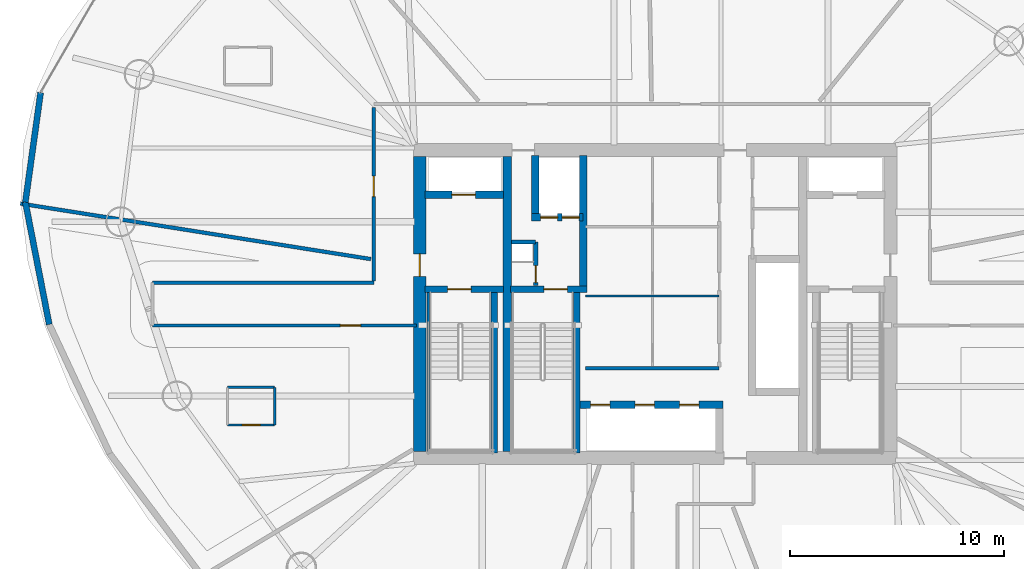
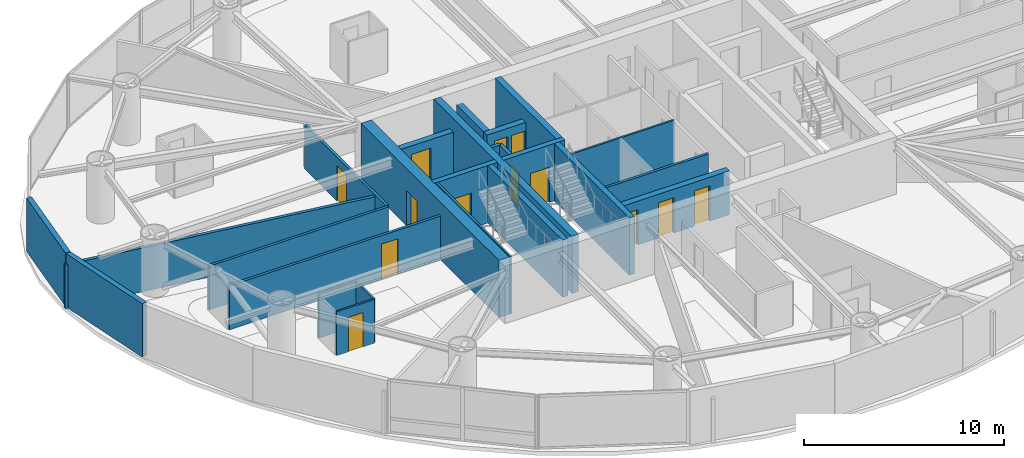
# One storey, part 14 of 19: 25 walls, 13 doors, 13 openings.
"""IFC4 building model written with IfcOpenShell, lengths in metres."""

from ifc_helpers import new_model, si_unit, direction, frame, frame_2d, origin, place, context, subcontext, project, spatial, rectangle, extrude, material, layer, layer_set, type_object, element, fill, save


model = new_model("IFC4")

# Units and contexts
model_context = context("Model", 3, precision=1e-05, world=origin(), true_north=direction((0.0, 1.0)))
body_context = subcontext(model_context, "Body", "Model", "MODEL_VIEW")
ifc_project = project(units=[si_unit("LENGTHUNIT", "METRE"), si_unit("AREAUNIT", "SQUARE_METRE"), si_unit("VOLUMEUNIT", "CUBIC_METRE"), si_unit("PLANEANGLEUNIT", "RADIAN"), si_unit("MASSUNIT", "GRAM", prefix="KILO")], contexts=[model_context])

# Site, building, storey
site_placement = place(None, origin())
site = spatial("IfcSite", under=ifc_project, at=site_placement, CompositionType="ELEMENT")
building_placement = place(site_placement, origin())
building = spatial("IfcBuilding", under=site, at=building_placement, Name="Bramvorn Convention Spire", CompositionType="ELEMENT")
storey_placement = place(building_placement, frame((0.0, 0.0, 109.800048828125)))
storey = spatial("IfcBuildingStorey", under=building, at=storey_placement, Name="L26", CompositionType="ELEMENT", Elevation=109.800048828125)

# Wall, opening, door
ifc_material_1 = material(Name="Concrete C60/70", Category="concrete")
ifc_layer_1 = layer(ifc_material_1, 0.60009765625)
ifc_layer_set_1 = layer_set([ifc_layer_1], Name="Concrete C60/70 - WL-CORE-600")
wall_type_1 = type_object("IfcWallType", Name="WL-CORE-600", PredefinedType="SHEAR", material=ifc_layer_set_1)
wall_1_placement = place(storey_placement, frame((27.0, 19.10009765625, 0.0), z_axis=(0.0, 0.0, 1.0), x_axis=(0.0, 1.0, 0.0)))
wall_1 = element("IfcWall", 1, at=wall_1_placement, inside=storey, type_object=wall_type_1, Name="L26 West RC core shear wall", PredefinedType="SHEAR", context=body_context, shape_type="SweptSolid", body=[
    extrude(rectangle(XDim=13.7998046875, YDim=0.60009765625, at=frame_2d((6.89990234375, 0.0))), origin(), (0.0, 0.0, 1.0), 3.5),
])
opening_1_placement = place(wall_1_placement, frame((8.199951171875, 0.0, 0.0)))
opening_1 = element("IfcOpeningElement", 2, at=opening_1_placement, cuts=wall_1, Name="Opening DL-105", PredefinedType="OPENING", context=body_context, shape_type="SweptSolid", body=[
    extrude(rectangle(XDim=1.050048828125, YDim=2.14990234375, at=frame_2d((0.52490234375, 1.074951171875))), frame((0.0, 0.31005859375, 0.0), z_axis=(0.0, -1.0, 0.0), x_axis=(1.0, 0.0, 0.0)), (0.0, 0.0, 1.0), 0.6201171875),
])
ifc_material_2 = material(Name="Smoke-Sealed Fire Lobby Timber-Core Door", Category="wood")
door_type_1 = type_object("IfcDoorType", Name="DR-LOBBY-1050", OperationType="NOTDEFINED", PredefinedType="DOOR", material=ifc_material_2)
door_1_placement = place(opening_1_placement, origin())
door_1 = element("IfcDoor", 3, at=door_1_placement, inside=storey, type_object=door_type_1, Name="L26 West Firefighting Lobby corridor door", OperationType="SINGLE_SWING_RIGHT", OverallHeight=2.14990234375, OverallWidth=1.050048828125, PredefinedType="DOOR", context=body_context, shape_type="SweptSolid", body=[
    extrude(rectangle(XDim=1.050048828125, YDim=2.14990234375, at=frame_2d((0.52490234375, 1.074951171875))), frame((0.0, 0.02490234375, 0.0), z_axis=(0.0, -1.0, 0.0), x_axis=(1.0, 0.0, 0.0)), (0.0, 0.0, 1.0), 0.050048828125),
])
fill(opening_1, door_1)

ifc_material_3 = material(Name="Concrete C50/60", Category="concrete")
ifc_layer_2 = layer(ifc_material_3, 0.35009765625)
ifc_layer_set_2 = layer_set([ifc_layer_2], Name="Concrete C50/60 - WL-CORE-INT-350")
wall_type_2 = type_object("IfcWallType", Name="WL-CORE-INT-350", PredefinedType="SHEAR", material=ifc_layer_set_2)
wall_2_placement = place(storey_placement, frame((27.25, 31.1201171875, 0.0), z_axis=(0.0, 0.0, 1.0), x_axis=(1.0, 0.0, 0.0)))
wall_2 = element("IfcWall", 4, at=wall_2_placement, inside=storey, type_object=wall_type_2, Name="L26 FE1 shaft front wall", PredefinedType="SHEAR", context=body_context, shape_type="SweptSolid", body=[
    extrude(rectangle(XDim=3.669921875, YDim=0.35009765625, at=frame_2d((1.8349609375, 0.0))), origin(), (0.0, 0.0, 1.0), 2.675048828125),
])
opening_2_placement = place(wall_2_placement, frame((1.25, 0.0, 0.0)))
opening_2 = element("IfcOpeningElement", 5, at=opening_2_placement, cuts=wall_2, Name="Opening LD-110", PredefinedType="OPENING", context=body_context, shape_type="SweptSolid", body=[
    extrude(rectangle(XDim=1.10009765625, YDim=2.14990234375, at=frame_2d((0.550048828125, 1.074951171875))), frame((0.0, 0.18505859375, 0.0), z_axis=(0.0, -1.0, 0.0), x_axis=(1.0, 0.0, 0.0)), (0.0, 0.0, 1.0), 0.3701171875),
])
ifc_material_4 = material(Name="Firefighting & Service Lift Sliding Landing Door", Category="steel")
door_type_2 = type_object("IfcDoorType", Name="DR-LIFT-LD-1100", OperationType="NOTDEFINED", PredefinedType="DOOR", material=ifc_material_4)
door_2_placement = place(opening_2_placement, origin())
door_2 = element("IfcDoor", 6, at=door_2_placement, inside=storey, type_object=door_type_2, Name="L26 Lift FE1 Sliding Landing Door", OperationType="SLIDING_TO_LEFT", OverallHeight=2.14990234375, OverallWidth=1.10009765625, PredefinedType="DOOR", context=body_context, shape_type="SweptSolid", body=[
    extrude(rectangle(XDim=1.10009765625, YDim=2.14990234375, at=frame_2d((0.550048828125, 1.074951171875))), frame((0.0, 0.02490234375, 0.0), z_axis=(0.0, -1.0, 0.0), x_axis=(1.0, 0.0, 0.0)), (0.0, 0.0, 1.0), 0.050048828125),
])
fill(opening_2, door_2)

# Wall
wall_3_placement = place(storey_placement, frame((34.639892578125, 26.68994140625, 0.0), z_axis=(0.0, 0.0, 1.0), x_axis=(0.0, 1.0, 0.0)))
element("IfcWall", 7, at=wall_3_placement, inside=storey, type_object=wall_type_2, Name="L26 SV east core shaft wall", PredefinedType="SHEAR", context=body_context, shape_type="SweptSolid", body=[
    extrude(rectangle(XDim=6.260009765625, YDim=0.35009765625, at=frame_2d((3.1298828125, 0.0))), origin(), (0.0, 0.0, 1.0), 3.5),
])

# Wall, openings, doors
wall_4_placement = place(storey_placement, frame((32.22998046875, 30.050048828125, 0.0), z_axis=(0.0, 0.0, 1.0), x_axis=(1.0, 0.0, 0.0)))
wall_4 = element("IfcWall", 8, at=wall_4_placement, inside=storey, type_object=wall_type_2, Name="L26 SV1/SV2 shaft front wall", PredefinedType="SHEAR", context=body_context, shape_type="SweptSolid", body=[
    extrude(rectangle(XDim=2.409912109375, YDim=0.35009765625, at=frame_2d((1.205078125, 0.0))), origin(), (0.0, 0.0, 1.0), 2.675048828125),
])
opening_3_placement = place(wall_4_placement, frame((0.419921875, 0.0, 0.0)))
opening_3 = element("IfcOpeningElement", 9, at=opening_3_placement, cuts=wall_4, Name="Opening LD-080", PredefinedType="OPENING", context=body_context, shape_type="SweptSolid", body=[
    extrude(rectangle(XDim=0.800048828125, YDim=2.14990234375, at=frame_2d((0.39990234375, 1.074951171875))), frame((0.0, 0.18505859375, 0.0), z_axis=(0.0, -1.0, 0.0), x_axis=(1.0, 0.0, 0.0)), (0.0, 0.0, 1.0), 0.3701171875),
])
opening_4_placement = place(wall_4_placement, frame((1.419921875, 0.0, 0.0)))
opening_4 = element("IfcOpeningElement", 10, at=opening_4_placement, cuts=wall_4, Name="Opening LD-080", PredefinedType="OPENING", context=body_context, shape_type="SweptSolid", body=[
    extrude(rectangle(XDim=0.800048828125, YDim=2.14990234375, at=frame_2d((0.39990234375, 1.074951171875))), frame((0.0, 0.18505859375, 0.0), z_axis=(0.0, -1.0, 0.0), x_axis=(1.0, 0.0, 0.0)), (0.0, 0.0, 1.0), 0.3701171875),
])
ifc_material_5 = material(Name="Service Lift Bi-Parting Landing Door", Category="steel")
door_type_3 = type_object("IfcDoorType", Name="DR-LIFT-LD-800", OperationType="NOTDEFINED", PredefinedType="DOOR", material=ifc_material_5)
door_3_placement = place(opening_3_placement, origin())
door_3 = element("IfcDoor", 11, at=door_3_placement, inside=storey, type_object=door_type_3, Name="L26 Lift SV1 Sliding Landing Door", OperationType="SLIDING_TO_LEFT", OverallHeight=2.14990234375, OverallWidth=0.800048828125, PredefinedType="DOOR", context=body_context, shape_type="SweptSolid", body=[
    extrude(rectangle(XDim=0.800048828125, YDim=2.14990234375, at=frame_2d((0.39990234375, 1.074951171875))), frame((0.0, 0.02490234375, 0.0), z_axis=(0.0, -1.0, 0.0), x_axis=(1.0, 0.0, 0.0)), (0.0, 0.0, 1.0), 0.050048828125),
])
fill(opening_3, door_3)
door_4_placement = place(opening_4_placement, origin())
door_4 = element("IfcDoor", 12, at=door_4_placement, inside=storey, type_object=door_type_3, Name="L26 Lift SV2 Sliding Landing Door", OperationType="SLIDING_TO_LEFT", OverallHeight=2.14990234375, OverallWidth=0.800048828125, PredefinedType="DOOR", context=body_context, shape_type="SweptSolid", body=[
    extrude(rectangle(XDim=0.800048828125, YDim=2.14990234375, at=frame_2d((0.39990234375, 1.074951171875))), frame((0.0, 0.02490234375, 0.0), z_axis=(0.0, -1.0, 0.0), x_axis=(1.0, 0.0, 0.0)), (0.0, 0.0, 1.0), 0.050048828125),
])
fill(opening_4, door_4)

# Wall
wall_5_placement = place(storey_placement, frame((32.39990234375, 30.219970703125, 0.0), z_axis=(0.0, 0.0, 1.0), x_axis=(0.0, 1.0, 0.0)))
element("IfcWall", 13, at=wall_5_placement, inside=storey, type_object=wall_type_2, Name="L26 SV1 west hoistway wall", PredefinedType="SHEAR", context=body_context, shape_type="SweptSolid", body=[
    extrude(rectangle(XDim=2.72998046875, YDim=0.35009765625, at=frame_2d((1.364990234375, 0.0))), origin(), (0.0, 0.0, 1.0), 2.675048828125),
])

# Wall, openings, doors
wall_6_placement = place(storey_placement, frame((34.489990234375, 21.300048828125, 0.0), z_axis=(0.0, 0.0, 1.0), x_axis=(1.0, 0.0, 0.0)))
wall_6 = element("IfcWall", 14, at=wall_6_placement, inside=storey, type_object=wall_type_2, Name="L26 Mid-rise bank north landing wall", PredefinedType="SHEAR", context=body_context, shape_type="SweptSolid", body=[
    extrude(rectangle(XDim=6.679931640625, YDim=0.35009765625, at=frame_2d((3.33984375, 0.0))), origin(), (0.0, 0.0, 1.0), 2.675048828125),
])
opening_5_placement = place(wall_6_placement, frame((0.5, 0.0, 0.0)))
opening_5 = element("IfcOpeningElement", 15, at=opening_5_placement, cuts=wall_6, Name="Opening LD-090", PredefinedType="OPENING", context=body_context, shape_type="SweptSolid", body=[
    extrude(rectangle(XDim=0.89990234375, YDim=2.14990234375, at=frame_2d((0.449951171875, 1.074951171875))), frame((0.0, 0.18505859375, 0.0), z_axis=(0.0, -1.0, 0.0), x_axis=(1.0, 0.0, 0.0)), (0.0, 0.0, 1.0), 0.3701171875),
])
opening_6_placement = place(wall_6_placement, frame((2.580078125, 0.0, 0.0)))
opening_6 = element("IfcOpeningElement", 16, at=opening_6_placement, cuts=wall_6, Name="Opening LD-090", PredefinedType="OPENING", context=body_context, shape_type="SweptSolid", body=[
    extrude(rectangle(XDim=0.89990234375, YDim=2.14990234375, at=frame_2d((0.449951171875, 1.074951171875))), frame((0.0, 0.18505859375, 0.0), z_axis=(0.0, -1.0, 0.0), x_axis=(1.0, 0.0, 0.0)), (0.0, 0.0, 1.0), 0.3701171875),
])
opening_7_placement = place(wall_6_placement, frame((4.659912109375, 0.0, 0.0)))
opening_7 = element("IfcOpeningElement", 17, at=opening_7_placement, cuts=wall_6, Name="Opening LD-090", PredefinedType="OPENING", context=body_context, shape_type="SweptSolid", body=[
    extrude(rectangle(XDim=0.89990234375, YDim=2.14990234375, at=frame_2d((0.449951171875, 1.074951171875))), frame((0.0, 0.18505859375, 0.0), z_axis=(0.0, -1.0, 0.0), x_axis=(1.0, 0.0, 0.0)), (0.0, 0.0, 1.0), 0.3701171875),
])
ifc_material_6 = material(Name="Bi-Parting Fire-Rated Lift Landing Door", Category="steel")
door_type_4 = type_object("IfcDoorType", Name="DR-LIFT-LD-900", OperationType="NOTDEFINED", PredefinedType="DOOR", material=ifc_material_6)
door_5_placement = place(opening_5_placement, origin())
door_5 = element("IfcDoor", 18, at=door_5_placement, inside=storey, type_object=door_type_4, Name="L26 Lift PM1 Sliding Landing Door", OperationType="SLIDING_TO_LEFT", OverallHeight=2.14990234375, OverallWidth=0.89990234375, PredefinedType="DOOR", context=body_context, shape_type="SweptSolid", body=[
    extrude(rectangle(XDim=0.89990234375, YDim=2.14990234375, at=frame_2d((0.449951171875, 1.074951171875))), frame((0.0, 0.02490234375, 0.0), z_axis=(0.0, -1.0, 0.0), x_axis=(1.0, 0.0, 0.0)), (0.0, 0.0, 1.0), 0.050048828125),
])
fill(opening_5, door_5)
door_6_placement = place(opening_6_placement, origin())
door_6 = element("IfcDoor", 19, at=door_6_placement, inside=storey, type_object=door_type_4, Name="L26 Lift PM2 Sliding Landing Door", OperationType="SLIDING_TO_LEFT", OverallHeight=2.14990234375, OverallWidth=0.89990234375, PredefinedType="DOOR", context=body_context, shape_type="SweptSolid", body=[
    extrude(rectangle(XDim=0.89990234375, YDim=2.14990234375, at=frame_2d((0.449951171875, 1.074951171875))), frame((0.0, 0.02490234375, 0.0), z_axis=(0.0, -1.0, 0.0), x_axis=(1.0, 0.0, 0.0)), (0.0, 0.0, 1.0), 0.050048828125),
])
fill(opening_6, door_6)
door_7_placement = place(opening_7_placement, origin())
door_7 = element("IfcDoor", 20, at=door_7_placement, inside=storey, type_object=door_type_4, Name="L26 Lift PM3 Sliding Landing Door", OperationType="SLIDING_TO_LEFT", OverallHeight=2.14990234375, OverallWidth=0.89990234375, PredefinedType="DOOR", context=body_context, shape_type="SweptSolid", body=[
    extrude(rectangle(XDim=0.89990234375, YDim=2.14990234375, at=frame_2d((0.449951171875, 1.074951171875))), frame((0.0, 0.02490234375, 0.0), z_axis=(0.0, -1.0, 0.0), x_axis=(1.0, 0.0, 0.0)), (0.0, 0.0, 1.0), 0.050048828125),
])
fill(opening_7, door_7)

# Walls
ifc_layer_3 = layer(ifc_material_1, 0.39990234375)
ifc_layer_set_3 = layer_set([ifc_layer_3], Name="Concrete C60/70 - WL-CORE-INT-400")
wall_type_3 = type_object("IfcWallType", Name="WL-CORE-INT-400", PredefinedType="SHEAR", material=ifc_layer_set_3)
wall_7_placement = place(storey_placement, frame((31.10009765625, 19.10009765625, 0.0), z_axis=(0.0, 0.0, 1.0), x_axis=(0.0, 1.0, 0.0)))
element("IfcWall", 21, at=wall_7_placement, inside=storey, type_object=wall_type_3, Name="L26 West internal core shear web", PredefinedType="SHEAR", context=body_context, shape_type="SweptSolid", body=[
    extrude(rectangle(XDim=13.7998046875, YDim=0.39990234375, at=frame_2d((6.89990234375, 0.0))), origin(), (0.0, 0.0, 1.0), 3.5),
])
ifc_material_7 = material(Name="Precast Concrete C40/50 with Bronze Terracotta Rainscreen", Category="masonry")
ifc_layer_4 = layer(ifc_material_7, 0.300048828125)
ifc_layer_set_4 = layer_set([ifc_layer_4], Name="Precast Concrete C40/50 with Bronze Terracotta Rainscreen - WL-EXT-BRONZE-300")
wall_type_4 = type_object("IfcWallType", Name="WL-EXT-BRONZE-300", PredefinedType="SOLIDWALL", material=ifc_layer_set_4)
wall_8_placement = place(storey_placement, frame((8.56201171875, 30.765869140625, 0.0), z_axis=(0.0, 0.0, 1.0), x_axis=(0.137820388365, 0.990457238123, 0.0)))
element("IfcWall", 22, at=wall_8_placement, inside=storey, type_object=wall_type_4, Name="L26 expressed bronze Gothic lancet pier wall 13", PredefinedType="SOLIDWALL", context=body_context, shape_type="SweptSolid", body=[
    extrude(rectangle(XDim=5.17431640625, YDim=0.280029296875, at=frame_2d((2.587158203125, 0.0))), origin(), (0.0, 0.0, 1.0), 3.260009765625),
])
wall_9_placement = place(storey_placement, frame((9.67724609375, 25.05078125, 0.0), z_axis=(0.0, 0.0, 1.0), x_axis=(-0.191526121359, 0.981487516394, 0.0)))
element("IfcWall", 23, at=wall_9_placement, inside=storey, type_object=wall_type_4, Name="L26 expressed bronze Gothic lancet pier wall 14", PredefinedType="SOLIDWALL", context=body_context, shape_type="SweptSolid", body=[
    extrude(rectangle(XDim=5.822998046875, YDim=0.280029296875, at=frame_2d((2.91162109375, 0.0))), origin(), (0.0, 0.0, 1.0), 3.260009765625),
])
ifc_material_8 = material(Name="Lightweight En-Suite & Wet-Wall Partition", Category="gypsum")
ifc_layer_5 = layer(ifc_material_8, 0.110107421875)
ifc_layer_set_5 = layer_set([ifc_layer_5], Name="Lightweight En-Suite & Wet-Wall Partition - WL-PART-110")
wall_type_5 = type_object("IfcWallType", Name="WL-PART-110", PredefinedType="PARTITIONING", material=ifc_layer_set_5)
wall_10_placement = place(storey_placement, frame((34.75, 26.382080078125, 0.0), z_axis=(0.0, 0.0, 1.0), x_axis=(1.0, 0.0, 0.0)))
element("IfcWall", 24, at=wall_10_placement, inside=storey, type_object=wall_type_5, Name="L26 KB divider 1", PredefinedType="PARTITIONING", context=body_context, shape_type="SweptSolid", body=[
    extrude(rectangle(XDim=6.25, YDim=0.110107421875, at=frame_2d((3.125, 0.0))), origin(), (0.0, 0.0, 1.0), 2.675048828125),
])

# Wall, opening, door
wall_11_placement = place(storey_placement, frame((18.013427734375, 20.347412109375, 0.0), z_axis=(0.0, 0.0, 1.0), x_axis=(1.0, 0.0, 0.0)))
wall_11 = element("IfcWall", 25, at=wall_11_placement, inside=storey, type_object=wall_type_5, Name="Hotel Suite 2605 en-suite south wall", PredefinedType="PARTITIONING", context=body_context, shape_type="SweptSolid", body=[
    extrude(rectangle(XDim=2.199951171875, YDim=0.110107421875, at=frame_2d((1.10009765625, 0.0))), origin(), (0.0, 0.0, 1.0), 2.675048828125),
])
opening_8_placement = place(wall_11_placement, frame((0.679931640625, 0.0, 0.0)))
opening_8 = element("IfcOpeningElement", 26, at=opening_8_placement, cuts=wall_11, Name="Opening DI-085", PredefinedType="OPENING", context=body_context, shape_type="SweptSolid", body=[
    extrude(rectangle(XDim=0.85009765625, YDim=2.10009765625, at=frame_2d((0.425048828125, 1.050048828125))), frame((0.0, 0.06494140625, 0.0), z_axis=(0.0, -1.0, 0.0), x_axis=(1.0, 0.0, 0.0)), (0.0, 0.0, 1.0), 0.130126953125),
])
ifc_material_9 = material(Name="En-Suite & Restroom Privacy Door", Category="wood")
door_type_5 = type_object("IfcDoorType", Name="DR-INT-850", OperationType="NOTDEFINED", PredefinedType="DOOR", material=ifc_material_9)
door_8_placement = place(opening_8_placement, origin())
door_8 = element("IfcDoor", 27, at=door_8_placement, inside=storey, type_object=door_type_5, Name="Hotel Suite 2605 En-Suite Bathroom door", OperationType="SINGLE_SWING_LEFT", OverallHeight=2.10009765625, OverallWidth=0.85009765625, PredefinedType="DOOR", context=body_context, shape_type="SweptSolid", body=[
    extrude(rectangle(XDim=0.85009765625, YDim=2.10009765625, at=frame_2d((0.425048828125, 1.050048828125))), frame((0.0, 0.02490234375, 0.0), z_axis=(0.0, -1.0, 0.0), x_axis=(1.0, 0.0, 0.0)), (0.0, 0.0, 1.0), 0.050048828125),
])
fill(opening_8, door_8)

# Walls
wall_12_placement = place(storey_placement, frame((18.013427734375, 22.107421875, 0.0), z_axis=(0.0, 0.0, 1.0), x_axis=(1.0, 0.0, 0.0)))
element("IfcWall", 28, at=wall_12_placement, inside=storey, type_object=wall_type_5, Name="Hotel Suite 2605 en-suite north wall", PredefinedType="PARTITIONING", context=body_context, shape_type="SweptSolid", body=[
    extrude(rectangle(XDim=2.199951171875, YDim=0.110107421875, at=frame_2d((1.10009765625, 0.0))), origin(), (0.0, 0.0, 1.0), 2.675048828125),
])
wall_13_placement = place(storey_placement, frame((20.21337890625, 20.347412109375, 0.0), z_axis=(0.0, 0.0, 1.0), x_axis=(0.0, 1.0, 0.0)))
element("IfcWall", 29, at=wall_13_placement, inside=storey, type_object=wall_type_5, Name="Hotel Suite 2605 en-suite east wall", PredefinedType="PARTITIONING", context=body_context, shape_type="SweptSolid", body=[
    extrude(rectangle(XDim=1.760009765625, YDim=0.110107421875, at=frame_2d((0.8798828125, 0.0))), origin(), (0.0, 0.0, 1.0), 2.675048828125),
])
ifc_material_10 = material(Name="Acoustic Metal-Stud Tenant/Corridor Partition", Category="gypsum")
ifc_layer_6 = layer(ifc_material_10, 0.14990234375)
ifc_layer_set_6 = layer_set([ifc_layer_6], Name="Acoustic Metal-Stud Tenant/Corridor Partition - WL-PART-150")
wall_type_6 = type_object("IfcWallType", Name="WL-PART-150", PredefinedType="PARTITIONING", material=ifc_layer_set_6)
wall_14_placement = place(storey_placement, frame((34.75, 23.0, 0.0), z_axis=(0.0, 0.0, 1.0), x_axis=(1.0, 0.0, 0.0)))
element("IfcWall", 30, at=wall_14_placement, inside=storey, type_object=wall_type_6, Name="L26 Mid-rise lift vestibule north wall", PredefinedType="PARTITIONING", context=body_context, shape_type="SweptSolid", body=[
    extrude(rectangle(XDim=6.25, YDim=0.14990234375, at=frame_2d((3.125, 0.0))), origin(), (0.0, 0.0, 1.0), 2.675048828125),
])

# Wall, opening, door
wall_15_placement = place(storey_placement, frame((24.85009765625, 27.080078125, 0.0), z_axis=(0.0, 0.0, 1.0), x_axis=(0.0, 1.0, 0.0)))
wall_15 = element("IfcWall", 31, at=wall_15_placement, inside=storey, type_object=wall_type_6, Name="L26 NW gallery cheek", PredefinedType="PARTITIONING", context=body_context, shape_type="SweptSolid", body=[
    extrude(rectangle(XDim=8.119873046875, YDim=0.14990234375, at=frame_2d((4.06005859375, 0.0))), origin(), (0.0, 0.0, 1.0), 2.675048828125),
])
opening_9_placement = place(wall_15_placement, frame((3.94775390625, 0.0, 0.0)))
opening_9 = element("IfcOpeningElement", 32, at=opening_9_placement, cuts=wall_15, Name="Opening DH-095", PredefinedType="OPENING", context=body_context, shape_type="SweptSolid", body=[
    extrude(rectangle(XDim=0.949951171875, YDim=2.14990234375, at=frame_2d((0.47509765625, 1.074951171875))), frame((0.0, 0.0849609375, 0.0), z_axis=(0.0, -1.0, 0.0), x_axis=(1.0, 0.0, 0.0)), (0.0, 0.0, 1.0), 0.169921875),
])
ifc_material_11 = material(Name="Solid-Core Acoustic Guestroom Entry Door", Category="wood")
door_type_6 = type_object("IfcDoorType", Name="DR-HOTEL-950", OperationType="NOTDEFINED", PredefinedType="DOOR", material=ifc_material_11)
door_9_placement = place(opening_9_placement, origin())
door_9 = element("IfcDoor", 33, at=door_9_placement, inside=storey, type_object=door_type_6, Name="Hotel Suite 2604 entry door", OperationType="SINGLE_SWING_RIGHT", OverallHeight=2.14990234375, OverallWidth=0.949951171875, PredefinedType="DOOR", context=body_context, shape_type="SweptSolid", body=[
    extrude(rectangle(XDim=0.949951171875, YDim=2.14990234375, at=frame_2d((0.47509765625, 1.074951171875))), frame((0.0, 0.02490234375, 0.0), z_axis=(0.0, -1.0, 0.0), x_axis=(1.0, 0.0, 0.0)), (0.0, 0.0, 1.0), 0.050048828125),
])
fill(opening_9, door_9)

# Wall
wall_16_placement = place(storey_placement, frame((14.5, 27.0, 0.0), z_axis=(0.0, 0.0, 1.0), x_axis=(1.0, 0.0, 0.0)))
element("IfcWall", 34, at=wall_16_placement, inside=storey, type_object=wall_type_6, Name="L26 West wing spine north wall", PredefinedType="PARTITIONING", context=body_context, shape_type="SweptSolid", body=[
    extrude(rectangle(XDim=10.35009765625, YDim=0.14990234375, at=frame_2d((5.175048828125, 0.0))), origin(), (0.0, 0.0, 1.0), 2.675048828125),
])

# Wall, opening, door
wall_17_placement = place(storey_placement, frame((14.5, 25.0, 0.0), z_axis=(0.0, 0.0, 1.0), x_axis=(1.0, 0.0, 0.0)))
wall_17 = element("IfcWall", 35, at=wall_17_placement, inside=storey, type_object=wall_type_6, Name="L26 West wing spine south wall", PredefinedType="PARTITIONING", context=body_context, shape_type="SweptSolid", body=[
    extrude(rectangle(XDim=12.35009765625, YDim=0.14990234375, at=frame_2d((6.175048828125, 0.0))), origin(), (0.0, 0.0, 1.0), 2.675048828125),
])
opening_10_placement = place(wall_17_placement, frame((8.78759765625, 0.0, 0.0)))
opening_10 = element("IfcOpeningElement", 36, at=opening_10_placement, cuts=wall_17, Name="Opening DH-095", PredefinedType="OPENING", context=body_context, shape_type="SweptSolid", body=[
    extrude(rectangle(XDim=0.949951171875, YDim=2.14990234375, at=frame_2d((0.47509765625, 1.074951171875))), frame((0.0, 0.0849609375, 0.0), z_axis=(0.0, -1.0, 0.0), x_axis=(1.0, 0.0, 0.0)), (0.0, 0.0, 1.0), 0.169921875),
])
door_10_placement = place(opening_10_placement, origin())
door_10 = element("IfcDoor", 37, at=door_10_placement, inside=storey, type_object=door_type_6, Name="Hotel Suite 2605 entry door", OperationType="SINGLE_SWING_RIGHT", OverallHeight=2.14990234375, OverallWidth=0.949951171875, PredefinedType="DOOR", context=body_context, shape_type="SweptSolid", body=[
    extrude(rectangle(XDim=0.949951171875, YDim=2.14990234375, at=frame_2d((0.47509765625, 1.074951171875))), frame((0.0, 0.02490234375, 0.0), z_axis=(0.0, -1.0, 0.0), x_axis=(1.0, 0.0, 0.0)), (0.0, 0.0, 1.0), 0.050048828125),
])
fill(opening_10, door_10)

# Wall
ifc_material_12 = material(Name="Double-Stud Acoustic Hotel/Suite Partition", Category="gypsum")
ifc_layer_7 = layer(ifc_material_12, 0.175048828125)
ifc_layer_set_7 = layer_set([ifc_layer_7], Name="Double-Stud Acoustic Hotel/Suite Partition - WL-PART-175")
wall_type_7 = type_object("IfcWallType", Name="WL-PART-175", PredefinedType="PARTITIONING", material=ifc_layer_set_7)
wall_18_placement = place(storey_placement, frame((24.7099609375, 28.10498046875, 0.0), z_axis=(0.0, 0.0, 1.0), x_axis=(-0.987688276275, 0.156434871144, 0.0)))
element("IfcWall", 38, at=wall_18_placement, inside=storey, type_object=wall_type_7, Name="L26 Guestroom demising wall 5", PredefinedType="PARTITIONING", context=body_context, shape_type="SweptSolid", body=[
    extrude(rectangle(XDim=16.58984375, YDim=0.175048828125, at=frame_2d((8.294921875, 0.0))), origin(), (0.0, 0.0, 1.0), 2.675048828125),
])

# Wall, opening, door
ifc_material_13 = material(Name="Gypsum Shaftwall & Rockwool Core Partition", Category="gypsum")
ifc_layer_8 = layer(ifc_material_13, 0.199951171875)
ifc_layer_set_8 = layer_set([ifc_layer_8], Name="Gypsum Shaftwall & Rockwool Core Partition - WL-PART-200-FR")
wall_type_8 = type_object("IfcWallType", Name="WL-PART-200-FR", PredefinedType="PARTITIONING", material=ifc_layer_set_8)
wall_19_placement = place(storey_placement, frame((32.419921875, 26.860107421875, 0.0), z_axis=(0.0, 0.0, 1.0), x_axis=(0.0, 1.0, 0.0)))
wall_19 = element("IfcWall", 39, at=wall_19_placement, inside=storey, type_object=wall_type_8, Name="L26 Telecom riser east wall", PredefinedType="PARTITIONING", context=body_context, shape_type="SweptSolid", body=[
    extrude(rectangle(XDim=2.039794921875, YDim=0.199951171875, at=frame_2d((1.02001953125, 0.0))), origin(), (0.0, 0.0, 1.0), 2.675048828125),
])
opening_11_placement = place(wall_19_placement, frame((0.139892578125, 0.0, 0.0)))
opening_11 = element("IfcOpeningElement", 40, at=opening_11_placement, cuts=wall_19, Name="Opening DR-080", PredefinedType="OPENING", context=body_context, shape_type="SweptSolid", body=[
    extrude(rectangle(XDim=0.800048828125, YDim=2.050048828125, at=frame_2d((0.39990234375, 1.02490234375))), frame((0.0, 0.10986328125, 0.0), z_axis=(0.0, -1.0, 0.0), x_axis=(1.0, 0.0, 0.0)), (0.0, 0.0, 1.0), 0.219970703125),
])
ifc_material_14 = material(Name="Flush Steel Riser Access Door", Category="steel")
door_type_7 = type_object("IfcDoorType", Name="DR-RISER-800", OperationType="NOTDEFINED", PredefinedType="DOOR", material=ifc_material_14)
door_11_placement = place(opening_11_placement, origin())
door_11 = element("IfcDoor", 41, at=door_11_placement, inside=storey, type_object=door_type_7, Name="L26 Telecom riser access door", OperationType="SINGLE_SWING_RIGHT", OverallHeight=2.050048828125, OverallWidth=0.800048828125, PredefinedType="DOOR", context=body_context, shape_type="SweptSolid", body=[
    extrude(rectangle(XDim=0.800048828125, YDim=2.050048828125, at=frame_2d((0.39990234375, 1.02490234375))), frame((0.0, 0.02490234375, 0.0), z_axis=(0.0, -1.0, 0.0), x_axis=(1.0, 0.0, 0.0)), (0.0, 0.0, 1.0), 0.050048828125),
])
fill(opening_11, door_11)

# Wall
wall_20_placement = place(storey_placement, frame((31.300048828125, 28.89990234375, 0.0), z_axis=(0.0, 0.0, 1.0), x_axis=(1.0, 0.0, 0.0)))
element("IfcWall", 42, at=wall_20_placement, inside=storey, type_object=wall_type_8, Name="L26 Telecom riser north wall", PredefinedType="PARTITIONING", context=body_context, shape_type="SweptSolid", body=[
    extrude(rectangle(XDim=1.119873046875, YDim=0.199951171875, at=frame_2d((0.56005859375, 0.0))), origin(), (0.0, 0.0, 1.0), 2.675048828125),
])

# Wall, opening, door
ifc_layer_9 = layer(ifc_material_3, 0.300048828125)
ifc_layer_set_9 = layer_set([ifc_layer_9], Name="Concrete C50/60 - WL-POD-STAIR-300")
wall_type_9 = type_object("IfcWallType", Name="WL-POD-STAIR-300", PredefinedType="SHEAR", material=ifc_layer_set_9)
wall_21_placement = place(storey_placement, frame((27.25, 26.68994140625, 0.0), z_axis=(0.0, 0.0, 1.0), x_axis=(1.0, 0.0, 0.0)))
wall_21 = element("IfcWall", 43, at=wall_21_placement, inside=storey, type_object=wall_type_9, Name="L26 ST1 north fire wall", PredefinedType="SHEAR", context=body_context, shape_type="SweptSolid", body=[
    extrude(rectangle(XDim=3.669921875, YDim=0.300048828125, at=frame_2d((1.8349609375, 0.0))), origin(), (0.0, 0.0, 1.0), 3.5),
])
opening_12_placement = place(wall_21_placement, frame((1.050048828125, 0.0, 0.0)))
opening_12 = element("IfcOpeningElement", 44, at=opening_12_placement, cuts=wall_21, Name="Opening DS-110", PredefinedType="OPENING", context=body_context, shape_type="SweptSolid", body=[
    extrude(rectangle(XDim=1.10009765625, YDim=2.14990234375, at=frame_2d((0.550048828125, 1.074951171875))), frame((0.0, 0.159912109375, 0.0), z_axis=(0.0, -1.0, 0.0), x_axis=(1.0, 0.0, 0.0)), (0.0, 0.0, 1.0), 0.320068359375),
])
ifc_material_15 = material(Name="Fire-Rated Hollow Steel Stairwell Door", Category="steel")
door_type_8 = type_object("IfcDoorType", Name="DR-STAIR-1100", OperationType="NOTDEFINED", PredefinedType="DOOR", material=ifc_material_15)
door_12_placement = place(opening_12_placement, origin())
door_12 = element("IfcDoor", 45, at=door_12_placement, inside=storey, type_object=door_type_8, Name="L26 Stair ST1 fire door", OperationType="SINGLE_SWING_LEFT", OverallHeight=2.14990234375, OverallWidth=1.10009765625, PredefinedType="DOOR", context=body_context, shape_type="SweptSolid", body=[
    extrude(rectangle(XDim=1.10009765625, YDim=2.14990234375, at=frame_2d((0.550048828125, 1.074951171875))), frame((0.0, 0.02490234375, 0.0), z_axis=(0.0, -1.0, 0.0), x_axis=(1.0, 0.0, 0.0)), (0.0, 0.0, 1.0), 0.050048828125),
])
fill(opening_12, door_12)

# Walls
for number, where, z_axis, x_axis, name in (
    (46, (30.489990234375, 19.050048828125, 0.0), (0.0, 0.0, 1.0), (0.0, 1.0, 0.0), "L26 ST1 east bearing wall"),
    (47, (34.340087890625, 19.050048828125, 0.0), (0.0, 0.0, 1.0), (0.0, 1.0, 0.0), "L26 ST3 east bearing wall"),
):
    element("IfcWall", number, at=place(storey_placement, frame(where, z_axis=z_axis, x_axis=x_axis)), inside=storey, type_object=wall_type_9, Name=name, PredefinedType="SHEAR", context=body_context, shape_type="SweptSolid", body=[
        extrude(rectangle(XDim=7.5, YDim=0.300048828125, at=frame_2d((3.75, 0.0))), origin(), (0.0, 0.0, 1.0), 3.5),
    ])

# Wall, opening, door
wall_22_placement = place(storey_placement, frame((31.25, 26.68994140625, 0.0), z_axis=(0.0, 0.0, 1.0), x_axis=(1.0, 0.0, 0.0)))
wall_22 = element("IfcWall", 48, at=wall_22_placement, inside=storey, type_object=wall_type_9, Name="L26 ST3 north lobby wall", PredefinedType="SHEAR", context=body_context, shape_type="SweptSolid", body=[
    extrude(rectangle(XDim=3.56005859375, YDim=0.300048828125, at=frame_2d((1.780029296875, 0.0))), origin(), (0.0, 0.0, 1.0), 3.5),
])
opening_13_placement = place(wall_22_placement, frame((1.550048828125, 0.0, 0.0)))
opening_13 = element("IfcOpeningElement", 49, at=opening_13_placement, cuts=wall_22, Name="Opening DS-110", PredefinedType="OPENING", context=body_context, shape_type="SweptSolid", body=[
    extrude(rectangle(XDim=1.10009765625, YDim=2.14990234375, at=frame_2d((0.550048828125, 1.074951171875))), frame((0.0, 0.159912109375, 0.0), z_axis=(0.0, -1.0, 0.0), x_axis=(1.0, 0.0, 0.0)), (0.0, 0.0, 1.0), 0.320068359375),
])
door_13_placement = place(opening_13_placement, origin())
door_13 = element("IfcDoor", 50, at=door_13_placement, inside=storey, type_object=door_type_8, Name="L26 Stair ST3 fire door", OperationType="SINGLE_SWING_LEFT", OverallHeight=2.14990234375, OverallWidth=1.10009765625, PredefinedType="DOOR", context=body_context, shape_type="SweptSolid", body=[
    extrude(rectangle(XDim=1.10009765625, YDim=2.14990234375, at=frame_2d((0.550048828125, 1.074951171875))), frame((0.0, 0.02490234375, 0.0), z_axis=(0.0, -1.0, 0.0), x_axis=(1.0, 0.0, 0.0)), (0.0, 0.0, 1.0), 0.050048828125),
])
fill(opening_13, door_13)

# Wall
ifc_layer_10 = layer(ifc_material_3, 0.1201171875)
ifc_layer_set_10 = layer_set([ifc_layer_10], Name="Concrete C50/60 - WL-STAIR-RC-120")
wall_type_10 = type_object("IfcWallType", Name="WL-STAIR-RC-120", PredefinedType="SHEAR", material=ifc_layer_set_10)
wall_23_placement = place(storey_placement, frame((27.39501953125, 19.10009765625, 0.0), z_axis=(0.0, 0.0, 1.0), x_axis=(0.0, 1.0, 0.0)))
element("IfcWall", 51, at=wall_23_placement, inside=storey, type_object=wall_type_10, Name="L26 ST1 west bearing shear wall", PredefinedType="SHEAR", context=body_context, shape_type="SweptSolid", body=[
    extrude(rectangle(XDim=7.449951171875, YDim=0.1201171875, at=frame_2d((3.72509765625, 0.0))), origin(), (0.0, 0.0, 1.0), 3.5),
])

save(model, "model.ifc")
